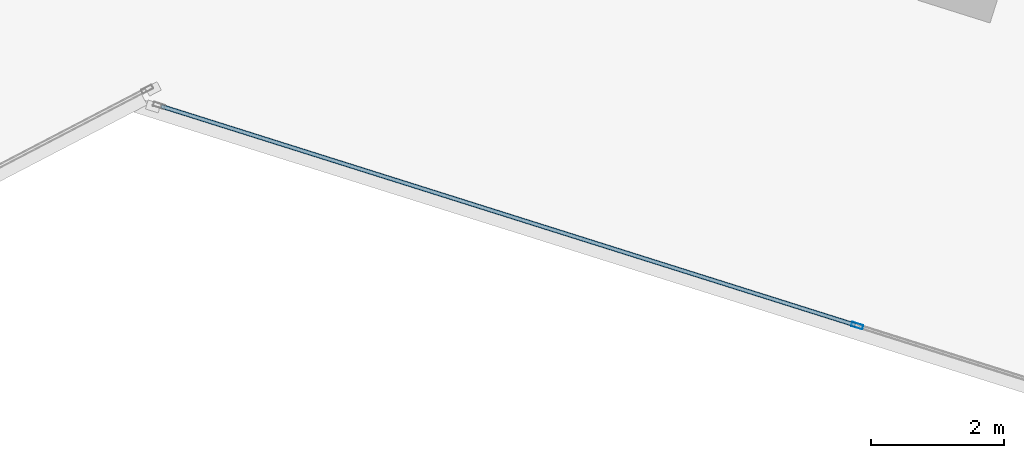
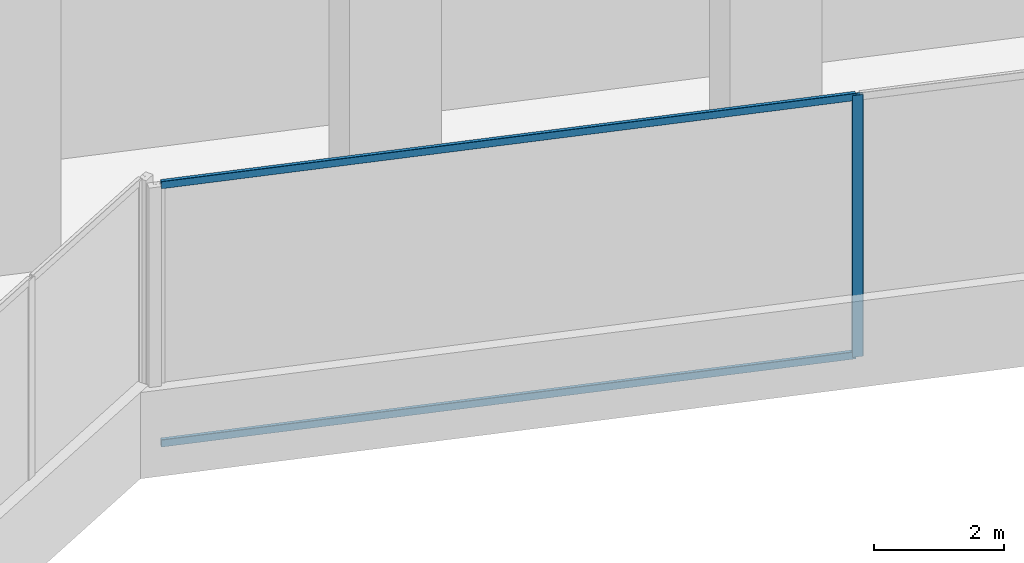
# One storey, part 7 of 28: 3 members, 1 element without a shape of its own.
"""IFC4 building model written with IfcOpenShell, lengths in metres."""

from ifc_helpers import new_model, si_unit, direction, frame, origin, origin_2d, place, context, subcontext, project, spatial, hollow_rectangle, extrude, source, transform, mapped, material, material_profile, profile_set, type_object, element, aggregate, save


model = new_model("IFC4")

# Units and contexts
model_context = context("Model", 3, precision=1e-05, world=origin(), true_north=direction((0.0, 1.0)))
body_context = subcontext(model_context, "Body", "Model", "MODEL_VIEW")
ifc_project = project(units=[si_unit("LENGTHUNIT", "METRE"), si_unit("AREAUNIT", "SQUARE_METRE"), si_unit("VOLUMEUNIT", "CUBIC_METRE"), si_unit("PLANEANGLEUNIT", "RADIAN"), si_unit("MASSUNIT", "GRAM", prefix="KILO")], contexts=[model_context])

# Site, building, storey
site_placement = place(None, origin())
site = spatial("IfcSite", under=ifc_project, at=site_placement, CompositionType="ELEMENT")
building_placement = place(site_placement, origin())
building = spatial("IfcBuilding", under=site, at=building_placement, Name="Torre Montelarca", CompositionType="ELEMENT")
storey_placement = place(building_placement, frame((0.0, 0.0, 116.800048828125)))
storey = spatial("IfcBuildingStorey", under=building, at=storey_placement, Name="L26", CompositionType="ELEMENT", Elevation=116.800048828125)

# Curtain wall, members
ifc_material_1 = material(Name="Insulated low-E laminated glass", Category="glass")
curtain_wall_type = type_object("IfcCurtainWallType", Name="CW-SYS-Z1", PredefinedType="USERDEFINED", material=ifc_material_1)
curtain_wall_placement = place(storey_placement, origin())
curtain_wall = element("IfcCurtainWall", 1, at=curtain_wall_placement, inside=storey, type_object=curtain_wall_type, Name="L26 Curtain Wall Run CW-T3-L26-E04-B1", ObjectType="UNITISED GLAZING", PredefinedType="USERDEFINED")
ifc_material_2 = material(Name="Anodised aluminium AA 6063-T6", Category="aluminium")
ifc_material_profile_1 = material_profile(ifc_material_2, hollow_rectangle(XDim=0.06494140625, YDim=0.139892578125, WallThickness=0.00390625, InnerFilletRadius=0.00390625, OuterFilletRadius=0.008056640625, at=origin_2d()), Name="ALU65X140X4", Category="aluminium")
ifc_profile_set_1 = profile_set([ifc_material_profile_1], Name="Anodised aluminium AA 6063-T6")
member_type_1 = type_object("IfcMemberType", Name="CWT-ALU140", PredefinedType="USERDEFINED", material=ifc_profile_set_1)
shared_shape_1 = source(origin(), body_context, "Body", "SweptSolid", [
    extrude(hollow_rectangle(XDim=0.06494140625, YDim=0.139892578125, WallThickness=0.00390625, InnerFilletRadius=0.00390625, OuterFilletRadius=0.008056640625, at=origin_2d()), origin(), (0.0, 0.0, 1.0), 10.948486328125),
])
member_1_placement = place(storey_placement, frame((32.369384765625, 14.239501953125, 0.032470703125), z_axis=(0.953719055971, -0.30069912251, 0.0), x_axis=(0.30069912251, 0.953719055971, 0.0)))
member_1 = element("IfcMember", 2, at=member_1_placement, type_object=member_type_1, Name="CW transom 1.1", ObjectType="TRANSOM", PredefinedType="USERDEFINED", context=body_context, shape_type="MappedRepresentation", body=[
    mapped(shared_shape_1, transform((0.0, 0.0, 0.0), scale=1.0)),
])
member_2_placement = place(storey_placement, frame((32.369384765625, 14.239501953125, 4.887451171875), z_axis=(0.953719055971, -0.30069912251, 0.0), x_axis=(0.30069912251, 0.953719055971, 0.0)))
member_2 = element("IfcMember", 3, at=member_2_placement, type_object=member_type_1, Name="CW transom 1.2", ObjectType="TRANSOM", PredefinedType="USERDEFINED", context=body_context, shape_type="MappedRepresentation", body=[
    mapped(shared_shape_1, transform((0.0, 0.0, 0.0), scale=1.0)),
])
ifc_material_profile_2 = material_profile(ifc_material_2, hollow_rectangle(XDim=0.06494140625, YDim=0.179931640625, WallThickness=0.00390625, InnerFilletRadius=0.00390625, OuterFilletRadius=0.008056640625, at=origin_2d()), Name="ALU65X180X4", Category="aluminium")
ifc_profile_set_2 = profile_set([ifc_material_profile_2], Name="Anodised aluminium AA 6063-T6")
member_type_2 = type_object("IfcMemberType", Name="CWM-ALU180", PredefinedType="MULLION", material=ifc_profile_set_2)
shared_shape_2 = source(origin(), body_context, "Body", "SweptSolid", [
    extrude(hollow_rectangle(XDim=0.06494140625, YDim=0.179931640625, WallThickness=0.00390625, InnerFilletRadius=0.00390625, OuterFilletRadius=0.008056640625, at=origin_2d()), origin(), (0.0, 0.0, 1.0), 4.919921875),
])
member_3_placement = place(storey_placement, frame((42.84228515625, 10.9375, 0.0), z_axis=(0.0, 0.0, 1.0), x_axis=(0.300700885116, 0.953718500235, 0.0)))
member_3 = element("IfcMember", 4, at=member_3_placement, type_object=member_type_2, Name="CW mullion 2", PredefinedType="MULLION", context=body_context, shape_type="MappedRepresentation", body=[
    mapped(shared_shape_2, transform((0.0, 0.0, 0.0), scale=1.0)),
])
aggregate(curtain_wall, [member_3, member_1, member_2])

save(model, "model.ifc")
